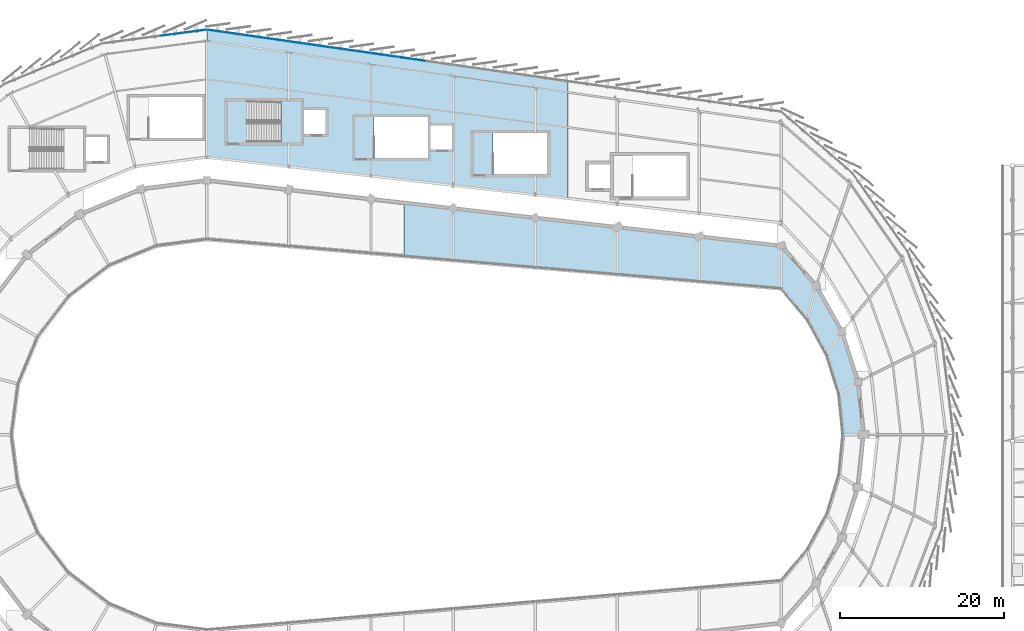
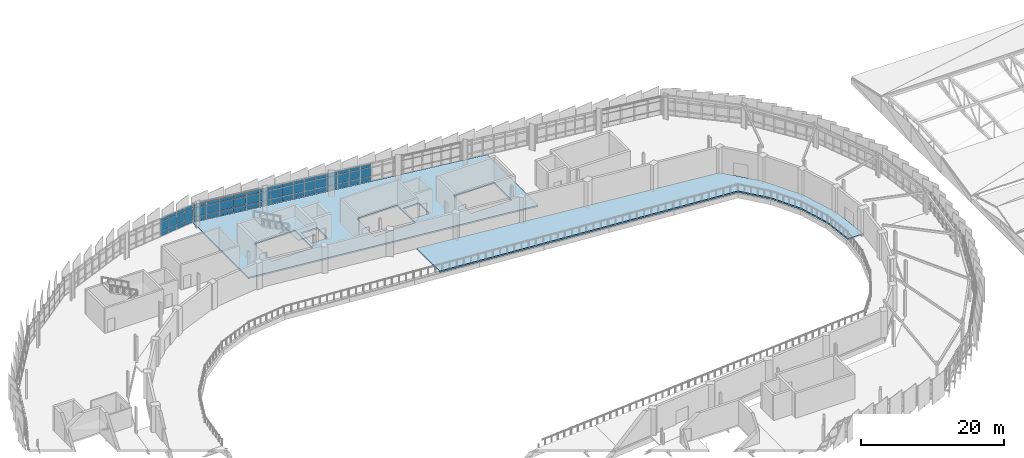
# One storey, part 67 of 87: 57 plates, 3 slabs, 5 elements without a shape of their own.
"""IFC4 building model written with IfcOpenShell, lengths in metres."""

from ifc_helpers import new_model, si_unit, direction, frame, origin, origin_2d, place, context, subcontext, project, spatial, polyline, rectangle, outline, extrude, material, layer, layer_set, type_object, element, aggregate, save


model = new_model("IFC4")

# Units and contexts
model_context = context("Model", 3, precision=1e-05, world=origin(), true_north=direction((0.0, 1.0)))
body_context = subcontext(model_context, "Body", "Model", "MODEL_VIEW")
ifc_project = project(units=[si_unit("LENGTHUNIT", "METRE"), si_unit("AREAUNIT", "SQUARE_METRE"), si_unit("VOLUMEUNIT", "CUBIC_METRE"), si_unit("PLANEANGLEUNIT", "RADIAN"), si_unit("MASSUNIT", "GRAM", prefix="KILO")], contexts=[model_context])

# Site, building, storey
site_placement = place(None, origin())
site = spatial("IfcSite", under=ifc_project, at=site_placement, CompositionType="ELEMENT")
building_placement = place(site_placement, origin())
building = spatial("IfcBuilding", under=site, at=building_placement, Name="Sohan Crest Arena", CompositionType="ELEMENT")
storey_placement = place(building_placement, frame((0.0, 0.0, 18.0)))
storey = spatial("IfcBuildingStorey", under=building, at=storey_placement, Name="L04", CompositionType="ELEMENT", Elevation=18.0)

# Curtain wall, plates
ifc_material_1 = material(Name="Thermally broken anodised aluminium", Category="aluminium")
ifc_layer_1 = layer(ifc_material_1, 0.179931640625, Name="Thermally broken anodised aluminium")
ifc_layer_set_1 = layer_set([ifc_layer_1], Name="Thermally broken anodised aluminium")
curtain_wall_type_1 = type_object("IfcCurtainWallType", Name="ARC-CW01", PredefinedType="NOTDEFINED", material=ifc_layer_set_1)
curtain_wall_1_placement = place(storey_placement, origin())
curtain_wall_1 = element("IfcCurtainWall", 1, at=curtain_wall_1_placement, inside=storey, type_object=curtain_wall_type_1, Name="Unitised curtain wall CW-112", PredefinedType="NOTDEFINED")
ifc_material_2 = material(Name="Low-E double-glazed insulated glass", Category="glass")
ifc_layer_2 = layer(ifc_material_2, 0.028076171875, Name="Low-E double-glazed insulated glass")
ifc_layer_set_2 = layer_set([ifc_layer_2], Name="Low-E double-glazed insulated glass")
plate_type_1 = type_object("IfcPlateType", Name="ARC-CNP01", PredefinedType="CURTAIN_PANEL", material=ifc_layer_set_2)
plate_1_placement = place(storey_placement, frame((97.275634765625, 127.254638671875, 0.06005859375), z_axis=(0.0, 0.0, 1.0), x_axis=(-0.991440816386, -0.130556913275, 0.0)))
plate_1 = element("IfcPlate", 2, at=plate_1_placement, type_object=plate_type_1, Name="CW-112 panel 1.1", PredefinedType="CURTAIN_PANEL", context=body_context, shape_type="SweptSolid", body=[
    extrude(rectangle(XDim=1.341552734375, YDim=0.028076171875, at=origin_2d()), origin(), (0.0, 0.0, 1.0), 0.81005859375),
])
plate_2_placement = place(storey_placement, frame((97.275634765625, 127.254638671875, 0.929931640625), z_axis=(0.0, 0.0, 1.0), x_axis=(-0.991440816386, -0.130556913275, 0.0)))
plate_2 = element("IfcPlate", 3, at=plate_2_placement, type_object=plate_type_1, Name="CW-112 panel 1.2", PredefinedType="CURTAIN_PANEL", context=body_context, shape_type="SweptSolid", body=[
    extrude(rectangle(XDim=1.341552734375, YDim=0.028076171875, at=origin_2d()), origin(), (0.0, 0.0, 1.0), 1.4599609375),
])
plate_3_placement = place(storey_placement, frame((97.275634765625, 127.254638671875, 2.44970703125), z_axis=(0.0, 0.0, 1.0), x_axis=(-0.991440816386, -0.130556913275, 0.0)))
plate_3 = element("IfcPlate", 4, at=plate_3_placement, type_object=plate_type_1, Name="CW-112 panel 1.3", PredefinedType="CURTAIN_PANEL", context=body_context, shape_type="SweptSolid", body=[
    extrude(rectangle(XDim=1.341552734375, YDim=0.028076171875, at=origin_2d()), origin(), (0.0, 0.0, 1.0), 0.610107421875),
])
plate_4_placement = place(storey_placement, frame((95.87109375, 127.069580078125, 0.06005859375), z_axis=(0.0, 0.0, 1.0), x_axis=(-0.991440816386, -0.130556913275, 0.0)))
plate_4 = element("IfcPlate", 5, at=plate_4_placement, type_object=plate_type_1, Name="CW-112 panel 2.1", PredefinedType="CURTAIN_PANEL", context=body_context, shape_type="SweptSolid", body=[
    extrude(rectangle(XDim=1.37158203125, YDim=0.028076171875, at=origin_2d()), origin(), (0.0, 0.0, 1.0), 0.81005859375),
])
plate_5_placement = place(storey_placement, frame((95.87109375, 127.069580078125, 0.929931640625), z_axis=(0.0, 0.0, 1.0), x_axis=(-0.991440816386, -0.130556913275, 0.0)))
plate_5 = element("IfcPlate", 6, at=plate_5_placement, type_object=plate_type_1, Name="CW-112 panel 2.2", PredefinedType="CURTAIN_PANEL", context=body_context, shape_type="SweptSolid", body=[
    extrude(rectangle(XDim=1.37158203125, YDim=0.028076171875, at=origin_2d()), origin(), (0.0, 0.0, 1.0), 1.4599609375),
])
plate_6_placement = place(storey_placement, frame((95.87109375, 127.069580078125, 2.44970703125), z_axis=(0.0, 0.0, 1.0), x_axis=(-0.991440816386, -0.130556913275, 0.0)))
plate_6 = element("IfcPlate", 7, at=plate_6_placement, type_object=plate_type_1, Name="CW-112 panel 2.3", PredefinedType="CURTAIN_PANEL", context=body_context, shape_type="SweptSolid", body=[
    extrude(rectangle(XDim=1.37158203125, YDim=0.028076171875, at=origin_2d()), origin(), (0.0, 0.0, 1.0), 0.610107421875),
])
plate_7_placement = place(storey_placement, frame((94.451904296875, 126.8828125, 0.06005859375), z_axis=(0.0, 0.0, 1.0), x_axis=(-0.991440816386, -0.130556913275, 0.0)))
plate_7 = element("IfcPlate", 8, at=plate_7_placement, type_object=plate_type_1, Name="CW-112 panel 3.1", PredefinedType="CURTAIN_PANEL", context=body_context, shape_type="SweptSolid", body=[
    extrude(rectangle(XDim=1.37158203125, YDim=0.028076171875, at=origin_2d()), origin(), (0.0, 0.0, 1.0), 0.81005859375),
])
plate_8_placement = place(storey_placement, frame((94.451904296875, 126.8828125, 0.929931640625), z_axis=(0.0, 0.0, 1.0), x_axis=(-0.991440816386, -0.130556913275, 0.0)))
plate_8 = element("IfcPlate", 9, at=plate_8_placement, type_object=plate_type_1, Name="CW-112 panel 3.2", PredefinedType="CURTAIN_PANEL", context=body_context, shape_type="SweptSolid", body=[
    extrude(rectangle(XDim=1.37158203125, YDim=0.028076171875, at=origin_2d()), origin(), (0.0, 0.0, 1.0), 1.4599609375),
])
plate_9_placement = place(storey_placement, frame((94.451904296875, 126.8828125, 2.44970703125), z_axis=(0.0, 0.0, 1.0), x_axis=(-0.991440816386, -0.130556913275, 0.0)))
plate_9 = element("IfcPlate", 10, at=plate_9_placement, type_object=plate_type_1, Name="CW-112 panel 3.3", PredefinedType="CURTAIN_PANEL", context=body_context, shape_type="SweptSolid", body=[
    extrude(rectangle(XDim=1.37158203125, YDim=0.028076171875, at=origin_2d()), origin(), (0.0, 0.0, 1.0), 0.610107421875),
])
plate_10_placement = place(storey_placement, frame((93.03271484375, 126.69580078125, 0.06005859375), z_axis=(0.0, 0.0, 1.0), x_axis=(-0.991440816386, -0.130556913275, 0.0)))
plate_10 = element("IfcPlate", 11, at=plate_10_placement, type_object=plate_type_1, Name="CW-112 panel 4.1", PredefinedType="CURTAIN_PANEL", context=body_context, shape_type="SweptSolid", body=[
    extrude(rectangle(XDim=1.37158203125, YDim=0.028076171875, at=origin_2d()), origin(), (0.0, 0.0, 1.0), 0.81005859375),
])
plate_11_placement = place(storey_placement, frame((93.03271484375, 126.69580078125, 0.929931640625), z_axis=(0.0, 0.0, 1.0), x_axis=(-0.991440816386, -0.130556913275, 0.0)))
plate_11 = element("IfcPlate", 12, at=plate_11_placement, type_object=plate_type_1, Name="CW-112 panel 4.2", PredefinedType="CURTAIN_PANEL", context=body_context, shape_type="SweptSolid", body=[
    extrude(rectangle(XDim=1.37158203125, YDim=0.028076171875, at=origin_2d()), origin(), (0.0, 0.0, 1.0), 1.4599609375),
])
plate_12_placement = place(storey_placement, frame((93.03271484375, 126.69580078125, 2.44970703125), z_axis=(0.0, 0.0, 1.0), x_axis=(-0.991440816386, -0.130556913275, 0.0)))
plate_12 = element("IfcPlate", 13, at=plate_12_placement, type_object=plate_type_1, Name="CW-112 panel 4.3", PredefinedType="CURTAIN_PANEL", context=body_context, shape_type="SweptSolid", body=[
    extrude(rectangle(XDim=1.37158203125, YDim=0.028076171875, at=origin_2d()), origin(), (0.0, 0.0, 1.0), 0.610107421875),
])
aggregate(curtain_wall_1, [plate_1, plate_2, plate_3, plate_4, plate_5, plate_6, plate_7, plate_8, plate_9, plate_10, plate_11, plate_12])

ifc_layer_3 = layer(ifc_material_1, 0.219970703125, Name="Thermally broken anodised aluminium")
ifc_layer_set_3 = layer_set([ifc_layer_3], Name="Thermally broken anodised aluminium")
curtain_wall_type_2 = type_object("IfcCurtainWallType", Name="ARC-CW03", PredefinedType="NOTDEFINED", material=ifc_layer_set_3)
curtain_wall_2_placement = place(storey_placement, origin())
curtain_wall_2 = element("IfcCurtainWall", 14, at=curtain_wall_2_placement, inside=storey, type_object=curtain_wall_type_2, Name="Unitised curtain wall CW-144", PredefinedType="NOTDEFINED")
plate_13_placement = place(storey_placement, frame((117.15185546875, 124.614013671875, 0.070068359375), z_axis=(0.0, 0.0, 1.0), x_axis=(-0.989957411768, 0.141365918403, 0.0)))
plate_13 = element("IfcPlate", 15, at=plate_13_placement, type_object=plate_type_1, Name="CW-144 panel 1.1", PredefinedType="CURTAIN_PANEL", context=body_context, shape_type="SweptSolid", body=[
    extrude(rectangle(XDim=1.593505859375, YDim=0.028076171875, at=origin_2d()), origin(), (0.0, 0.0, 1.0), 0.794921875),
])
plate_14_placement = place(storey_placement, frame((117.15185546875, 124.614013671875, 0.93505859375), z_axis=(0.0, 0.0, 1.0), x_axis=(-0.989957411768, 0.141365918403, 0.0)))
plate_14 = element("IfcPlate", 16, at=plate_14_placement, type_object=plate_type_1, Name="CW-144 panel 1.2", PredefinedType="CURTAIN_PANEL", context=body_context, shape_type="SweptSolid", body=[
    extrude(rectangle(XDim=1.593505859375, YDim=0.028076171875, at=origin_2d()), origin(), (0.0, 0.0, 1.0), 1.449951171875),
])
plate_15_placement = place(storey_placement, frame((117.15185546875, 124.614013671875, 2.455078125), z_axis=(0.0, 0.0, 1.0), x_axis=(-0.989957411768, 0.141365918403, 0.0)))
plate_15 = element("IfcPlate", 17, at=plate_15_placement, type_object=plate_type_1, Name="CW-144 panel 1.3", PredefinedType="CURTAIN_PANEL", context=body_context, shape_type="SweptSolid", body=[
    extrude(rectangle(XDim=1.593505859375, YDim=0.028076171875, at=origin_2d()), origin(), (0.0, 0.0, 1.0), 0.594970703125),
])
plate_16_placement = place(storey_placement, frame((115.5, 124.85009765625, 0.070068359375), z_axis=(0.0, 0.0, 1.0), x_axis=(-0.989957411768, 0.141365918403, 0.0)))
plate_16 = element("IfcPlate", 18, at=plate_16_placement, type_object=plate_type_1, Name="CW-144 panel 2.1", PredefinedType="CURTAIN_PANEL", context=body_context, shape_type="SweptSolid", body=[
    extrude(rectangle(XDim=1.62353515625, YDim=0.028076171875, at=origin_2d()), origin(), (0.0, 0.0, 1.0), 0.794921875),
])
plate_17_placement = place(storey_placement, frame((115.5, 124.85009765625, 0.93505859375), z_axis=(0.0, 0.0, 1.0), x_axis=(-0.989957411768, 0.141365918403, 0.0)))
plate_17 = element("IfcPlate", 19, at=plate_17_placement, type_object=plate_type_1, Name="CW-144 panel 2.2", PredefinedType="CURTAIN_PANEL", context=body_context, shape_type="SweptSolid", body=[
    extrude(rectangle(XDim=1.62353515625, YDim=0.028076171875, at=origin_2d()), origin(), (0.0, 0.0, 1.0), 1.449951171875),
])
plate_18_placement = place(storey_placement, frame((115.5, 124.85009765625, 2.455078125), z_axis=(0.0, 0.0, 1.0), x_axis=(-0.989957411768, 0.141365918403, 0.0)))
plate_18 = element("IfcPlate", 20, at=plate_18_placement, type_object=plate_type_1, Name="CW-144 panel 2.3", PredefinedType="CURTAIN_PANEL", context=body_context, shape_type="SweptSolid", body=[
    extrude(rectangle(XDim=1.62353515625, YDim=0.028076171875, at=origin_2d()), origin(), (0.0, 0.0, 1.0), 0.594970703125),
])
plate_19_placement = place(storey_placement, frame((113.833251953125, 125.087890625, 0.070068359375), z_axis=(0.0, 0.0, 1.0), x_axis=(-0.989957411768, 0.141365918403, 0.0)))
plate_19 = element("IfcPlate", 21, at=plate_19_placement, type_object=plate_type_1, Name="CW-144 panel 3.1", PredefinedType="CURTAIN_PANEL", context=body_context, shape_type="SweptSolid", body=[
    extrude(rectangle(XDim=1.62353515625, YDim=0.028076171875, at=origin_2d()), origin(), (0.0, 0.0, 1.0), 0.794921875),
])
plate_20_placement = place(storey_placement, frame((113.833251953125, 125.087890625, 0.93505859375), z_axis=(0.0, 0.0, 1.0), x_axis=(-0.989957411768, 0.141365918403, 0.0)))
plate_20 = element("IfcPlate", 22, at=plate_20_placement, type_object=plate_type_1, Name="CW-144 panel 3.2", PredefinedType="CURTAIN_PANEL", context=body_context, shape_type="SweptSolid", body=[
    extrude(rectangle(XDim=1.62353515625, YDim=0.028076171875, at=origin_2d()), origin(), (0.0, 0.0, 1.0), 1.449951171875),
])
plate_21_placement = place(storey_placement, frame((113.833251953125, 125.087890625, 2.455078125), z_axis=(0.0, 0.0, 1.0), x_axis=(-0.989957411768, 0.141365918403, 0.0)))
plate_21 = element("IfcPlate", 23, at=plate_21_placement, type_object=plate_type_1, Name="CW-144 panel 3.3", PredefinedType="CURTAIN_PANEL", context=body_context, shape_type="SweptSolid", body=[
    extrude(rectangle(XDim=1.62353515625, YDim=0.028076171875, at=origin_2d()), origin(), (0.0, 0.0, 1.0), 0.594970703125),
])
plate_22_placement = place(storey_placement, frame((112.166748046875, 125.325927734375, 0.070068359375), z_axis=(0.0, 0.0, 1.0), x_axis=(-0.989957411768, 0.141365918403, 0.0)))
plate_22 = element("IfcPlate", 24, at=plate_22_placement, type_object=plate_type_1, Name="CW-144 panel 4.1", PredefinedType="CURTAIN_PANEL", context=body_context, shape_type="SweptSolid", body=[
    extrude(rectangle(XDim=1.62353515625, YDim=0.028076171875, at=origin_2d()), origin(), (0.0, 0.0, 1.0), 0.794921875),
])
plate_23_placement = place(storey_placement, frame((112.166748046875, 125.325927734375, 0.93505859375), z_axis=(0.0, 0.0, 1.0), x_axis=(-0.989957411768, 0.141365918403, 0.0)))
plate_23 = element("IfcPlate", 25, at=plate_23_placement, type_object=plate_type_1, Name="CW-144 panel 4.2", PredefinedType="CURTAIN_PANEL", context=body_context, shape_type="SweptSolid", body=[
    extrude(rectangle(XDim=1.62353515625, YDim=0.028076171875, at=origin_2d()), origin(), (0.0, 0.0, 1.0), 1.449951171875),
])
plate_24_placement = place(storey_placement, frame((112.166748046875, 125.325927734375, 2.455078125), z_axis=(0.0, 0.0, 1.0), x_axis=(-0.989957411768, 0.141365918403, 0.0)))
plate_24 = element("IfcPlate", 26, at=plate_24_placement, type_object=plate_type_1, Name="CW-144 panel 4.3", PredefinedType="CURTAIN_PANEL", context=body_context, shape_type="SweptSolid", body=[
    extrude(rectangle(XDim=1.62353515625, YDim=0.028076171875, at=origin_2d()), origin(), (0.0, 0.0, 1.0), 0.594970703125),
])
plate_25_placement = place(storey_placement, frame((110.5, 125.56396484375, 0.070068359375), z_axis=(0.0, 0.0, 1.0), x_axis=(-0.989957411768, 0.141365918403, 0.0)))
plate_25 = element("IfcPlate", 27, at=plate_25_placement, type_object=plate_type_1, Name="CW-144 panel 5.1", PredefinedType="CURTAIN_PANEL", context=body_context, shape_type="SweptSolid", body=[
    extrude(rectangle(XDim=1.62353515625, YDim=0.028076171875, at=origin_2d()), origin(), (0.0, 0.0, 1.0), 0.794921875),
])
plate_26_placement = place(storey_placement, frame((110.5, 125.56396484375, 0.93505859375), z_axis=(0.0, 0.0, 1.0), x_axis=(-0.989957411768, 0.141365918403, 0.0)))
plate_26 = element("IfcPlate", 28, at=plate_26_placement, type_object=plate_type_1, Name="CW-144 panel 5.2", PredefinedType="CURTAIN_PANEL", context=body_context, shape_type="SweptSolid", body=[
    extrude(rectangle(XDim=1.62353515625, YDim=0.028076171875, at=origin_2d()), origin(), (0.0, 0.0, 1.0), 1.449951171875),
])
plate_27_placement = place(storey_placement, frame((110.5, 125.56396484375, 2.455078125), z_axis=(0.0, 0.0, 1.0), x_axis=(-0.989957411768, 0.141365918403, 0.0)))
plate_27 = element("IfcPlate", 29, at=plate_27_placement, type_object=plate_type_1, Name="CW-144 panel 5.3", PredefinedType="CURTAIN_PANEL", context=body_context, shape_type="SweptSolid", body=[
    extrude(rectangle(XDim=1.62353515625, YDim=0.028076171875, at=origin_2d()), origin(), (0.0, 0.0, 1.0), 0.594970703125),
])
plate_28_placement = place(storey_placement, frame((108.84814453125, 125.7998046875, 0.070068359375), z_axis=(0.0, 0.0, 1.0), x_axis=(-0.989957411768, 0.141365918403, 0.0)))
plate_28 = element("IfcPlate", 30, at=plate_28_placement, type_object=plate_type_1, Name="CW-144 panel 6.1", PredefinedType="CURTAIN_PANEL", context=body_context, shape_type="SweptSolid", body=[
    extrude(rectangle(XDim=1.593505859375, YDim=0.028076171875, at=origin_2d()), origin(), (0.0, 0.0, 1.0), 0.794921875),
])
plate_29_placement = place(storey_placement, frame((108.84814453125, 125.7998046875, 0.93505859375), z_axis=(0.0, 0.0, 1.0), x_axis=(-0.989957411768, 0.141365918403, 0.0)))
plate_29 = element("IfcPlate", 31, at=plate_29_placement, type_object=plate_type_1, Name="CW-144 panel 6.2", PredefinedType="CURTAIN_PANEL", context=body_context, shape_type="SweptSolid", body=[
    extrude(rectangle(XDim=1.593505859375, YDim=0.028076171875, at=origin_2d()), origin(), (0.0, 0.0, 1.0), 1.449951171875),
])
plate_30_placement = place(storey_placement, frame((108.84814453125, 125.7998046875, 2.455078125), z_axis=(0.0, 0.0, 1.0), x_axis=(-0.989957411768, 0.141365918403, 0.0)))
plate_30 = element("IfcPlate", 32, at=plate_30_placement, type_object=plate_type_1, Name="CW-144 panel 6.3", PredefinedType="CURTAIN_PANEL", context=body_context, shape_type="SweptSolid", body=[
    extrude(rectangle(XDim=1.593505859375, YDim=0.028076171875, at=origin_2d()), origin(), (0.0, 0.0, 1.0), 0.594970703125),
])
aggregate(curtain_wall_2, [plate_13, plate_14, plate_15, plate_16, plate_17, plate_18, plate_19, plate_20, plate_21, plate_22, plate_23, plate_24, plate_25, plate_26, plate_27, plate_28, plate_29, plate_30])

ifc_layer_4 = layer(ifc_material_1, 0.239990234375, Name="Thermally broken anodised aluminium")
ifc_layer_set_4 = layer_set([ifc_layer_4], Name="Thermally broken anodised aluminium")
curtain_wall_type_3 = type_object("IfcCurtainWallType", Name="ARC-CW04", PredefinedType="NOTDEFINED", material=ifc_layer_set_4)
curtain_wall_3_placement = place(storey_placement, origin())
curtain_wall_3 = element("IfcCurtainWall", 33, at=curtain_wall_3_placement, inside=storey, type_object=curtain_wall_type_3, Name="Unitised curtain wall CW-145", PredefinedType="NOTDEFINED")
ifc_layer_5 = layer(ifc_material_2, 0.031982421875, Name="Low-E double-glazed insulated glass")
ifc_layer_set_5 = layer_set([ifc_layer_5], Name="Low-E double-glazed insulated glass")
plate_type_2 = type_object("IfcPlateType", Name="ARC-CNP02", PredefinedType="CURTAIN_PANEL", material=ifc_layer_set_5)
plate_31_placement = place(storey_placement, frame((106.98388671875, 126.066162109375, 0.06005859375), z_axis=(0.0, 0.0, 1.0), x_axis=(-0.989943553128, 0.141462933734, 0.0)))
plate_31 = element("IfcPlate", 34, at=plate_31_placement, type_object=plate_type_2, Name="CW-145 panel 1.1", PredefinedType="CURTAIN_PANEL", context=body_context, shape_type="SweptSolid", body=[
    extrude(rectangle(XDim=1.9228515625, YDim=0.031982421875, at=origin_2d()), origin(), (0.0, 0.0, 1.0), 0.81005859375),
])
plate_32_placement = place(storey_placement, frame((106.98388671875, 126.066162109375, 0.929931640625), z_axis=(0.0, 0.0, 1.0), x_axis=(-0.989943553128, 0.141462933734, 0.0)))
plate_32 = element("IfcPlate", 35, at=plate_32_placement, type_object=plate_type_2, Name="CW-145 panel 1.2", PredefinedType="CURTAIN_PANEL", context=body_context, shape_type="SweptSolid", body=[
    extrude(rectangle(XDim=1.9228515625, YDim=0.031982421875, at=origin_2d()), origin(), (0.0, 0.0, 1.0), 1.4599609375),
])
plate_33_placement = place(storey_placement, frame((106.98388671875, 126.066162109375, 2.44970703125), z_axis=(0.0, 0.0, 1.0), x_axis=(-0.989943553128, 0.141462933734, 0.0)))
plate_33 = element("IfcPlate", 36, at=plate_33_placement, type_object=plate_type_2, Name="CW-145 panel 1.3", PredefinedType="CURTAIN_PANEL", context=body_context, shape_type="SweptSolid", body=[
    extrude(rectangle(XDim=1.9228515625, YDim=0.031982421875, at=origin_2d()), origin(), (0.0, 0.0, 1.0), 0.610107421875),
])
plate_34_placement = place(storey_placement, frame((105.0, 126.349609375, 0.06005859375), z_axis=(0.0, 0.0, 1.0), x_axis=(-0.989943553128, 0.141462933734, 0.0)))
plate_34 = element("IfcPlate", 37, at=plate_34_placement, type_object=plate_type_2, Name="CW-145 panel 2.1", PredefinedType="CURTAIN_PANEL", context=body_context, shape_type="SweptSolid", body=[
    extrude(rectangle(XDim=1.955322265625, YDim=0.031982421875, at=origin_2d()), origin(), (0.0, 0.0, 1.0), 0.81005859375),
])
plate_35_placement = place(storey_placement, frame((105.0, 126.349609375, 0.929931640625), z_axis=(0.0, 0.0, 1.0), x_axis=(-0.989943553128, 0.141462933734, 0.0)))
plate_35 = element("IfcPlate", 38, at=plate_35_placement, type_object=plate_type_2, Name="CW-145 panel 2.2", PredefinedType="CURTAIN_PANEL", context=body_context, shape_type="SweptSolid", body=[
    extrude(rectangle(XDim=1.955322265625, YDim=0.031982421875, at=origin_2d()), origin(), (0.0, 0.0, 1.0), 1.4599609375),
])
plate_36_placement = place(storey_placement, frame((105.0, 126.349609375, 2.44970703125), z_axis=(0.0, 0.0, 1.0), x_axis=(-0.989943553128, 0.141462933734, 0.0)))
plate_36 = element("IfcPlate", 39, at=plate_36_placement, type_object=plate_type_2, Name="CW-145 panel 2.3", PredefinedType="CURTAIN_PANEL", context=body_context, shape_type="SweptSolid", body=[
    extrude(rectangle(XDim=1.955322265625, YDim=0.031982421875, at=origin_2d()), origin(), (0.0, 0.0, 1.0), 0.610107421875),
])
plate_37_placement = place(storey_placement, frame((103.0, 126.635498046875, 0.06005859375), z_axis=(0.0, 0.0, 1.0), x_axis=(-0.989943553128, 0.141462933734, 0.0)))
plate_37 = element("IfcPlate", 40, at=plate_37_placement, type_object=plate_type_2, Name="CW-145 panel 3.1", PredefinedType="CURTAIN_PANEL", context=body_context, shape_type="SweptSolid", body=[
    extrude(rectangle(XDim=1.955322265625, YDim=0.031982421875, at=origin_2d()), origin(), (0.0, 0.0, 1.0), 0.81005859375),
])
plate_38_placement = place(storey_placement, frame((103.0, 126.635498046875, 0.929931640625), z_axis=(0.0, 0.0, 1.0), x_axis=(-0.989943553128, 0.141462933734, 0.0)))
plate_38 = element("IfcPlate", 41, at=plate_38_placement, type_object=plate_type_2, Name="CW-145 panel 3.2", PredefinedType="CURTAIN_PANEL", context=body_context, shape_type="SweptSolid", body=[
    extrude(rectangle(XDim=1.955322265625, YDim=0.031982421875, at=origin_2d()), origin(), (0.0, 0.0, 1.0), 1.4599609375),
])
plate_39_placement = place(storey_placement, frame((103.0, 126.635498046875, 2.44970703125), z_axis=(0.0, 0.0, 1.0), x_axis=(-0.989943553128, 0.141462933734, 0.0)))
plate_39 = element("IfcPlate", 42, at=plate_39_placement, type_object=plate_type_2, Name="CW-145 panel 3.3", PredefinedType="CURTAIN_PANEL", context=body_context, shape_type="SweptSolid", body=[
    extrude(rectangle(XDim=1.955322265625, YDim=0.031982421875, at=origin_2d()), origin(), (0.0, 0.0, 1.0), 0.610107421875),
])
plate_40_placement = place(storey_placement, frame((101.0, 126.92138671875, 0.06005859375), z_axis=(0.0, 0.0, 1.0), x_axis=(-0.989943553128, 0.141462933734, 0.0)))
plate_40 = element("IfcPlate", 43, at=plate_40_placement, type_object=plate_type_2, Name="CW-145 panel 4.1", PredefinedType="CURTAIN_PANEL", context=body_context, shape_type="SweptSolid", body=[
    extrude(rectangle(XDim=1.955322265625, YDim=0.031982421875, at=origin_2d()), origin(), (0.0, 0.0, 1.0), 0.81005859375),
])
plate_41_placement = place(storey_placement, frame((101.0, 126.92138671875, 0.929931640625), z_axis=(0.0, 0.0, 1.0), x_axis=(-0.989943553128, 0.141462933734, 0.0)))
plate_41 = element("IfcPlate", 44, at=plate_41_placement, type_object=plate_type_2, Name="CW-145 panel 4.2", PredefinedType="CURTAIN_PANEL", context=body_context, shape_type="SweptSolid", body=[
    extrude(rectangle(XDim=1.955322265625, YDim=0.031982421875, at=origin_2d()), origin(), (0.0, 0.0, 1.0), 1.4599609375),
])
plate_42_placement = place(storey_placement, frame((101.0, 126.92138671875, 2.44970703125), z_axis=(0.0, 0.0, 1.0), x_axis=(-0.989943553128, 0.141462933734, 0.0)))
plate_42 = element("IfcPlate", 45, at=plate_42_placement, type_object=plate_type_2, Name="CW-145 panel 4.3", PredefinedType="CURTAIN_PANEL", context=body_context, shape_type="SweptSolid", body=[
    extrude(rectangle(XDim=1.955322265625, YDim=0.031982421875, at=origin_2d()), origin(), (0.0, 0.0, 1.0), 0.610107421875),
])
plate_43_placement = place(storey_placement, frame((99.01611328125, 127.204833984375, 0.06005859375), z_axis=(0.0, 0.0, 1.0), x_axis=(-0.989943553128, 0.141462933734, 0.0)))
plate_43 = element("IfcPlate", 46, at=plate_43_placement, type_object=plate_type_2, Name="CW-145 panel 5.1", PredefinedType="CURTAIN_PANEL", context=body_context, shape_type="SweptSolid", body=[
    extrude(rectangle(XDim=1.9228515625, YDim=0.031982421875, at=origin_2d()), origin(), (0.0, 0.0, 1.0), 0.81005859375),
])
plate_44_placement = place(storey_placement, frame((99.01611328125, 127.204833984375, 0.929931640625), z_axis=(0.0, 0.0, 1.0), x_axis=(-0.989943553128, 0.141462933734, 0.0)))
plate_44 = element("IfcPlate", 47, at=plate_44_placement, type_object=plate_type_2, Name="CW-145 panel 5.2", PredefinedType="CURTAIN_PANEL", context=body_context, shape_type="SweptSolid", body=[
    extrude(rectangle(XDim=1.9228515625, YDim=0.031982421875, at=origin_2d()), origin(), (0.0, 0.0, 1.0), 1.4599609375),
])
plate_45_placement = place(storey_placement, frame((99.01611328125, 127.204833984375, 2.44970703125), z_axis=(0.0, 0.0, 1.0), x_axis=(-0.989943553128, 0.141462933734, 0.0)))
plate_45 = element("IfcPlate", 48, at=plate_45_placement, type_object=plate_type_2, Name="CW-145 panel 5.3", PredefinedType="CURTAIN_PANEL", context=body_context, shape_type="SweptSolid", body=[
    extrude(rectangle(XDim=1.9228515625, YDim=0.031982421875, at=origin_2d()), origin(), (0.0, 0.0, 1.0), 0.610107421875),
])
aggregate(curtain_wall_3, [plate_31, plate_32, plate_33, plate_34, plate_35, plate_36, plate_37, plate_38, plate_39, plate_40, plate_41, plate_42, plate_43, plate_44, plate_45])

ifc_layer_6 = layer(ifc_material_1, 0.199951171875, Name="Thermally broken anodised aluminium")
ifc_layer_set_6 = layer_set([ifc_layer_6], Name="Thermally broken anodised aluminium")
curtain_wall_type_4 = type_object("IfcCurtainWallType", Name="ARC-CW02", PredefinedType="NOTDEFINED", material=ifc_layer_set_6)
curtain_wall_4_placement = place(storey_placement, origin())
curtain_wall_4 = element("IfcCurtainWall", 49, at=curtain_wall_4_placement, inside=storey, type_object=curtain_wall_type_4, Name="Unitised curtain wall CW-143", PredefinedType="NOTDEFINED")
ifc_material_3 = material(Name="Insulated polychrome ceramic spandrel panel", Category="masonry")
ifc_layer_7 = layer(ifc_material_3, 0.0419921875, Name="Insulated polychrome ceramic spandrel panel")
ifc_layer_set_7 = layer_set([ifc_layer_7], Name="Insulated polychrome ceramic spandrel panel")
plate_type_3 = type_object("IfcPlateType", Name="ARC-CNP04", PredefinedType="CURTAIN_PANEL", material=ifc_layer_set_7)
plate_46_placement = place(storey_placement, frame((123.833251953125, 123.659423828125, 0.06494140625), z_axis=(0.0, 0.0, 1.0), x_axis=(-0.989943553128, 0.141462933734, 0.0)))
plate_46 = element("IfcPlate", 50, at=plate_46_placement, type_object=plate_type_3, Name="CW-143 panel 3.1", PredefinedType="CURTAIN_PANEL", context=body_context, shape_type="SweptSolid", body=[
    extrude(rectangle(XDim=1.608642578125, YDim=0.0419921875, at=origin_2d()), origin(), (0.0, 0.0, 1.0), 0.802490234375),
])
plate_47_placement = place(storey_placement, frame((123.833251953125, 123.659423828125, 0.932373046875), z_axis=(0.0, 0.0, 1.0), x_axis=(-0.989943553128, 0.141462933734, 0.0)))
plate_47 = element("IfcPlate", 51, at=plate_47_placement, type_object=plate_type_3, Name="CW-143 panel 3.2", PredefinedType="CURTAIN_PANEL", context=body_context, shape_type="SweptSolid", body=[
    extrude(rectangle(XDim=1.608642578125, YDim=0.0419921875, at=origin_2d()), origin(), (0.0, 0.0, 1.0), 1.455078125),
])
plate_48_placement = place(storey_placement, frame((123.833251953125, 123.659423828125, 2.452392578125), z_axis=(0.0, 0.0, 1.0), x_axis=(-0.989943553128, 0.141462933734, 0.0)))
plate_48 = element("IfcPlate", 52, at=plate_48_placement, type_object=plate_type_3, Name="CW-143 panel 3.3", PredefinedType="CURTAIN_PANEL", context=body_context, shape_type="SweptSolid", body=[
    extrude(rectangle(XDim=1.608642578125, YDim=0.0419921875, at=origin_2d()), origin(), (0.0, 0.0, 1.0), 0.6025390625),
])
plate_49_placement = place(storey_placement, frame((122.166748046875, 123.897705078125, 0.06494140625), z_axis=(0.0, 0.0, 1.0), x_axis=(-0.989943553128, 0.141462933734, 0.0)))
plate_49 = element("IfcPlate", 53, at=plate_49_placement, type_object=plate_type_3, Name="CW-143 panel 4.1", PredefinedType="CURTAIN_PANEL", context=body_context, shape_type="SweptSolid", body=[
    extrude(rectangle(XDim=1.608642578125, YDim=0.0419921875, at=origin_2d()), origin(), (0.0, 0.0, 1.0), 0.802490234375),
])
plate_50_placement = place(storey_placement, frame((122.166748046875, 123.897705078125, 0.932373046875), z_axis=(0.0, 0.0, 1.0), x_axis=(-0.989943553128, 0.141462933734, 0.0)))
plate_50 = element("IfcPlate", 54, at=plate_50_placement, type_object=plate_type_3, Name="CW-143 panel 4.2", PredefinedType="CURTAIN_PANEL", context=body_context, shape_type="SweptSolid", body=[
    extrude(rectangle(XDim=1.608642578125, YDim=0.0419921875, at=origin_2d()), origin(), (0.0, 0.0, 1.0), 1.455078125),
])
plate_51_placement = place(storey_placement, frame((122.166748046875, 123.897705078125, 2.452392578125), z_axis=(0.0, 0.0, 1.0), x_axis=(-0.989943553128, 0.141462933734, 0.0)))
plate_51 = element("IfcPlate", 55, at=plate_51_placement, type_object=plate_type_3, Name="CW-143 panel 4.3", PredefinedType="CURTAIN_PANEL", context=body_context, shape_type="SweptSolid", body=[
    extrude(rectangle(XDim=1.608642578125, YDim=0.0419921875, at=origin_2d()), origin(), (0.0, 0.0, 1.0), 0.6025390625),
])
plate_52_placement = place(storey_placement, frame((120.5, 124.1357421875, 0.06494140625), z_axis=(0.0, 0.0, 1.0), x_axis=(-0.989943553128, 0.141462933734, 0.0)))
plate_52 = element("IfcPlate", 56, at=plate_52_placement, type_object=plate_type_3, Name="CW-143 panel 5.1", PredefinedType="CURTAIN_PANEL", context=body_context, shape_type="SweptSolid", body=[
    extrude(rectangle(XDim=1.608642578125, YDim=0.0419921875, at=origin_2d()), origin(), (0.0, 0.0, 1.0), 0.802490234375),
])
plate_53_placement = place(storey_placement, frame((120.5, 124.1357421875, 0.932373046875), z_axis=(0.0, 0.0, 1.0), x_axis=(-0.989943553128, 0.141462933734, 0.0)))
plate_53 = element("IfcPlate", 57, at=plate_53_placement, type_object=plate_type_3, Name="CW-143 panel 5.2", PredefinedType="CURTAIN_PANEL", context=body_context, shape_type="SweptSolid", body=[
    extrude(rectangle(XDim=1.608642578125, YDim=0.0419921875, at=origin_2d()), origin(), (0.0, 0.0, 1.0), 1.455078125),
])
plate_54_placement = place(storey_placement, frame((120.5, 124.1357421875, 2.452392578125), z_axis=(0.0, 0.0, 1.0), x_axis=(-0.989943553128, 0.141462933734, 0.0)))
plate_54 = element("IfcPlate", 58, at=plate_54_placement, type_object=plate_type_3, Name="CW-143 panel 5.3", PredefinedType="CURTAIN_PANEL", context=body_context, shape_type="SweptSolid", body=[
    extrude(rectangle(XDim=1.608642578125, YDim=0.0419921875, at=origin_2d()), origin(), (0.0, 0.0, 1.0), 0.6025390625),
])
plate_55_placement = place(storey_placement, frame((118.851806640625, 124.371337890625, 0.06494140625), z_axis=(0.0, 0.0, 1.0), x_axis=(-0.989943553128, 0.141462933734, 0.0)))
plate_55 = element("IfcPlate", 59, at=plate_55_placement, type_object=plate_type_3, Name="CW-143 panel 6.1", PredefinedType="CURTAIN_PANEL", context=body_context, shape_type="SweptSolid", body=[
    extrude(rectangle(XDim=1.571044921875, YDim=0.0419921875, at=origin_2d()), origin(), (0.0, 0.0, 1.0), 0.802490234375),
])
plate_56_placement = place(storey_placement, frame((118.851806640625, 124.371337890625, 0.932373046875), z_axis=(0.0, 0.0, 1.0), x_axis=(-0.989943553128, 0.141462933734, 0.0)))
plate_56 = element("IfcPlate", 60, at=plate_56_placement, type_object=plate_type_3, Name="CW-143 panel 6.2", PredefinedType="CURTAIN_PANEL", context=body_context, shape_type="SweptSolid", body=[
    extrude(rectangle(XDim=1.571044921875, YDim=0.0419921875, at=origin_2d()), origin(), (0.0, 0.0, 1.0), 1.455078125),
])
plate_57_placement = place(storey_placement, frame((118.851806640625, 124.371337890625, 2.452392578125), z_axis=(0.0, 0.0, 1.0), x_axis=(-0.989943553128, 0.141462933734, 0.0)))
plate_57 = element("IfcPlate", 61, at=plate_57_placement, type_object=plate_type_3, Name="CW-143 panel 6.3", PredefinedType="CURTAIN_PANEL", context=body_context, shape_type="SweptSolid", body=[
    extrude(rectangle(XDim=1.571044921875, YDim=0.0419921875, at=origin_2d()), origin(), (0.0, 0.0, 1.0), 0.6025390625),
])
aggregate(curtain_wall_4, [plate_46, plate_47, plate_48, plate_49, plate_50, plate_51, plate_52, plate_53, plate_54, plate_55, plate_56, plate_57])

# Slabs
ifc_material_4 = material(Name="Concrete C40/50", Category="concrete")
ifc_layer_8 = layer(ifc_material_4, 0.25, Name="Concrete C40/50")
ifc_layer_set_8 = layer_set([ifc_layer_8], Name="Concrete C40/50")
slab_type_1 = type_object("IfcSlabType", Name="SL-FLR3", PredefinedType="FLOOR", material=ifc_layer_set_8)
slab_1_placement = place(storey_placement, frame((0.0, 0.0, -0.25)))
element("IfcSlab", 62, at=slab_1_placement, inside=storey, type_object=slab_type_1, Name="Bowl vomitory ring L04 Q2 SL-L04-V1Q2", PredefinedType="FLOOR", context=body_context, shape_type="SweptSolid", body=[
    extrude(outline(polyline([(122.0, 106.257080078125), (168.0, 101.0), (172.242919921875, 96.154052734375), (175.408935546875, 90.544921875), (177.363037109375, 84.406982421875), (178.02294921875, 78.0), (175.531982421875, 78.0), (175.037109375, 82.929931640625), (173.571044921875, 87.6640625), (171.194091796875, 92.011962890625), (168.0, 95.800048828125), (122.0, 99.742919921875), (122.0, 106.257080078125)])), origin(), (0.0, 0.0, 1.0), 0.25),
])
slab_2_placement = place(storey_placement, frame((0.0, 0.0, -0.25)))
element("IfcSlab", 63, at=slab_2_placement, inside=storey, type_object=slab_type_1, Name="Concourse ring L04 sector 3 SL-L04-V2S3", PredefinedType="FLOOR", context=body_context, shape_type="SweptSolid", body=[
    extrude(outline(polyline([(98.0, 127.35009765625), (142.0, 121.06396484375), (142.0, 106.77197265625), (98.0, 111.800048828125), (98.0, 127.35009765625)]), holes=[polyline([(102.8701171875, 113.60009765625), (109.449951171875, 113.60009765625), (109.449951171875, 118.60009765625), (102.8701171875, 118.60009765625), (102.8701171875, 113.60009765625)]), polyline([(109.85009765625, 117.550048828125), (109.85009765625, 114.64990234375), (112.449951171875, 114.64990234375), (112.449951171875, 117.550048828125), (109.85009765625, 117.550048828125)]), polyline([(118.3701171875, 111.699951171875), (124.949951171875, 111.699951171875), (124.949951171875, 116.699951171875), (118.3701171875, 116.699951171875), (118.3701171875, 111.699951171875)]), polyline([(125.25, 115.64990234375), (125.25, 112.75), (127.85009765625, 112.75), (127.85009765625, 115.64990234375), (125.25, 115.64990234375)]), polyline([(132.8701171875, 114.75), (132.8701171875, 109.75), (139.449951171875, 109.75), (139.449951171875, 114.75), (132.8701171875, 114.75)])]), origin(), (0.0, 0.0, 1.0), 0.25),
])

# Stair, slab
stair_type = type_object("IfcStairType", Name="ST-450", PredefinedType="TWO_STRAIGHT_RUN_STAIR", material=ifc_material_4)
stair_placement = place(storey_placement, origin())
stair = element("IfcStair", 64, at=stair_placement, inside=storey, type_object=stair_type, Name="Protected exit stair ST06-L04", PredefinedType="TWO_STRAIGHT_RUN_STAIR")
ifc_layer_9 = layer(ifc_material_4, 0.199951171875, Name="Concrete C40/50")
ifc_layer_set_9 = layer_set([ifc_layer_9], Name="Concrete C40/50")
slab_type_2 = type_object("IfcSlabType", Name="SL-LND1", PredefinedType="LANDING", material=ifc_layer_set_9)
slab_3_placement = place(storey_placement, frame((0.0, 0.0, 2.050048828125)))
slab_3 = element("IfcSlab", 65, at=slab_3_placement, type_object=slab_type_2, Name="ST06-L04 landing 1", PredefinedType="LANDING", context=body_context, shape_type="SweptSolid", body=[
    extrude(outline(polyline([(107.030029296875, 113.449951171875), (109.60009765625, 113.449951171875), (109.60009765625, 118.75), (107.030029296875, 118.75), (107.030029296875, 113.449951171875)])), origin(), (0.0, 0.0, 1.0), 0.199951171875),
])
aggregate(stair, [slab_3])

save(model, "model.ifc")
